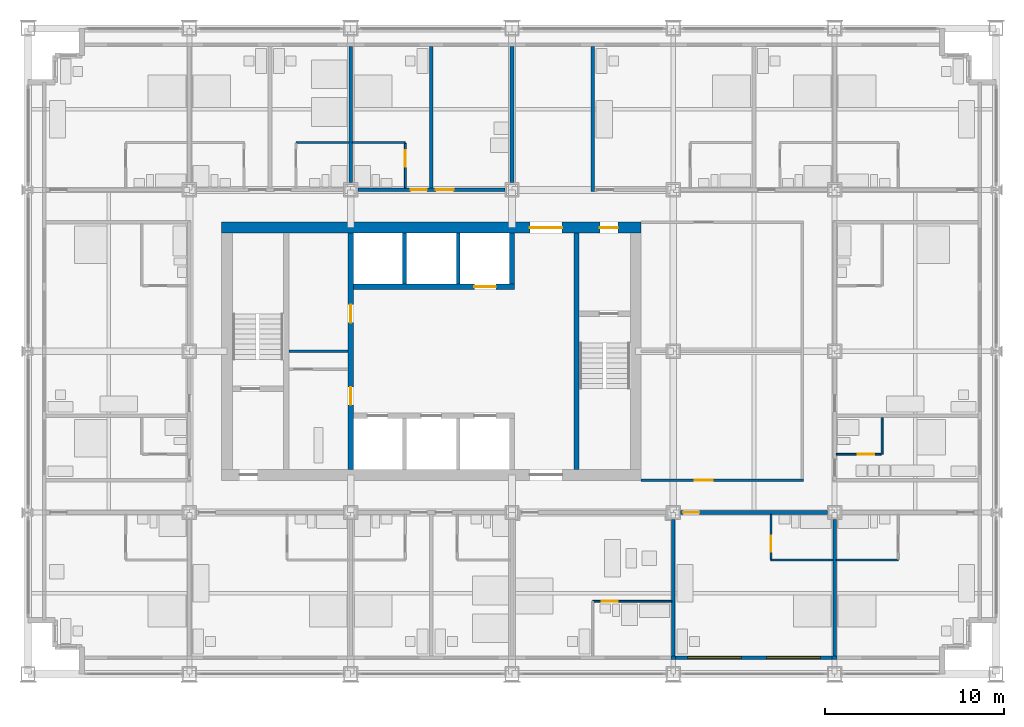
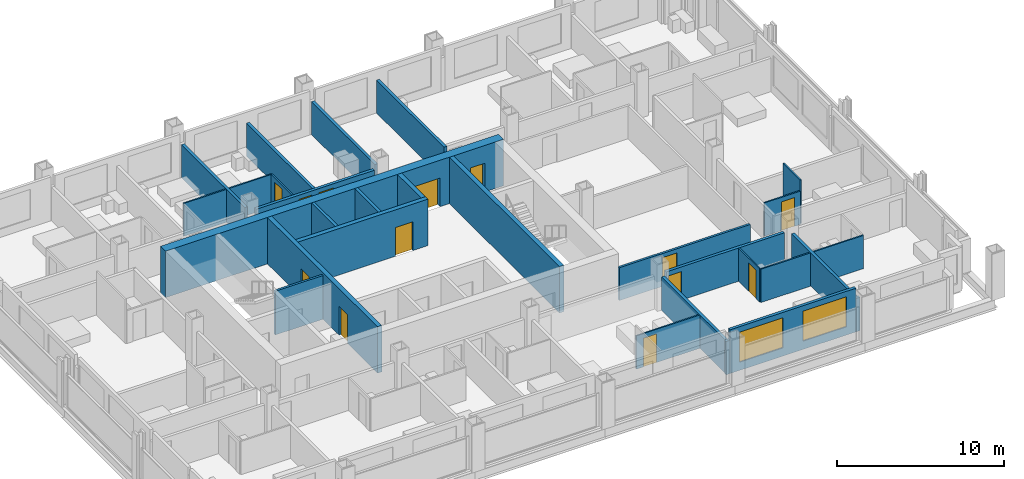
# One storey, part 12 of 18: 29 walls, 13 doors, 2 windows, 15 openings.
"""IFC4 building model written with IfcOpenShell, lengths in metres."""

from ifc_helpers import new_model, si_unit, direction, frame, frame_2d, origin, place, context, subcontext, project, spatial, rectangle, extrude, material, layer, layer_set, type_object, element, fill, save


model = new_model("IFC4")

# Units and contexts
model_context = context("Model", 3, precision=1e-05, world=origin(), true_north=direction((0.0, 1.0)))
body_context = subcontext(model_context, "Body", "Model", "MODEL_VIEW")
ifc_project = project(units=[si_unit("LENGTHUNIT", "METRE"), si_unit("AREAUNIT", "SQUARE_METRE"), si_unit("VOLUMEUNIT", "CUBIC_METRE"), si_unit("PLANEANGLEUNIT", "RADIAN"), si_unit("MASSUNIT", "GRAM", prefix="KILO")], contexts=[model_context])

# Site, building, storey
site_placement = place(None, origin())
site = spatial("IfcSite", under=ifc_project, at=site_placement, CompositionType="ELEMENT")
building_placement = place(site_placement, origin())
building = spatial("IfcBuilding", under=site, at=building_placement, Name="Loomwork Tower", CompositionType="ELEMENT")
storey_placement = place(building_placement, frame((0.0, 0.0, 65.39990234375)))
storey = spatial("IfcBuildingStorey", under=building, at=storey_placement, Name="L16", CompositionType="ELEMENT", Elevation=65.39990234375)

# Wall, openings, doors
ifc_material_1 = material(Name="Concrete 14000 psi (97 MPa)", Category="concrete")
ifc_layer_1 = layer(ifc_material_1, 0.300048828125)
ifc_layer_set_1 = layer_set([ifc_layer_1], Name="Core shear wall 300")
wall_type_1 = type_object("IfcWallType", Name="Core shear wall 300", PredefinedType="SHEAR", material=ifc_layer_set_1)
wall_1_placement = place(storey_placement, frame((18.0, 11.39990234375, 0.0), z_axis=(0.0, 0.0, 1.0), x_axis=(0.0, 1.0, 0.0)))
wall_1 = element("IfcWall", 1, at=wall_1_placement, inside=storey, type_object=wall_type_1, Name="Lobby west wall L16", PredefinedType="SHEAR", context=body_context, shape_type="SweptSolid", body=[
    extrude(rectangle(XDim=13.2001953125, YDim=0.300048828125, at=frame_2d((6.60009765625, 0.0))), origin(), (0.0, 0.0, 1.0), 3.400146484375),
])
opening_1_placement = place(wall_1_placement, frame((3.60009765625, 0.0, 0.0)))
opening_1 = element("IfcOpeningElement", 2, at=opening_1_placement, cuts=wall_1, Name="Opening D5", PredefinedType="OPENING", context=body_context, shape_type="SweptSolid", body=[
    extrude(rectangle(XDim=1.0, YDim=2.10009765625, at=frame_2d((0.5, 1.050048828125))), frame((0.0, 0.159912109375, 0.0), z_axis=(0.0, -1.0, 0.0), x_axis=(1.0, 0.0, 0.0)), (0.0, 0.0, 1.0), 0.320068359375),
])
opening_2_placement = place(wall_1_placement, frame((8.199951171875, 0.0, 0.0)))
opening_2 = element("IfcOpeningElement", 3, at=opening_2_placement, cuts=wall_1, Name="Opening D5", PredefinedType="OPENING", context=body_context, shape_type="SweptSolid", body=[
    extrude(rectangle(XDim=1.0, YDim=2.10009765625, at=frame_2d((0.5, 1.050048828125))), frame((0.0, 0.159912109375, 0.0), z_axis=(0.0, -1.0, 0.0), x_axis=(1.0, 0.0, 0.0)), (0.0, 0.0, 1.0), 0.320068359375),
])
ifc_material_2 = material(Name="Hollow metal door and frame")
door_type_1 = type_object("IfcDoorType", Name="Service door 1000", OperationType="SINGLE_SWING_LEFT", PredefinedType="DOOR", material=ifc_material_2)
door_1_placement = place(opening_1_placement, origin())
door_1 = element("IfcDoor", 4, at=door_1_placement, inside=storey, type_object=door_type_1, Name="Back-of-house door south", OperationType="SINGLE_SWING_LEFT", OverallHeight=2.10009765625, OverallWidth=1.0, PredefinedType="DOOR", context=body_context, shape_type="SweptSolid", body=[
    extrude(rectangle(XDim=1.0, YDim=2.10009765625, at=frame_2d((0.5, 1.050048828125))), frame((0.0, 0.02490234375, 0.0), z_axis=(0.0, -1.0, 0.0), x_axis=(1.0, 0.0, 0.0)), (0.0, 0.0, 1.0), 0.050048828125),
])
fill(opening_1, door_1)
door_2_placement = place(opening_2_placement, origin())
door_2 = element("IfcDoor", 5, at=door_2_placement, inside=storey, type_object=door_type_1, Name="Back-of-house door north", OperationType="SINGLE_SWING_RIGHT", OverallHeight=2.10009765625, OverallWidth=1.0, PredefinedType="DOOR", context=body_context, shape_type="SweptSolid", body=[
    extrude(rectangle(XDim=1.0, YDim=2.10009765625, at=frame_2d((0.5, 1.050048828125))), frame((0.0, 0.02490234375, 0.0), z_axis=(0.0, -1.0, 0.0), x_axis=(1.0, 0.0, 0.0)), (0.0, 0.0, 1.0), 0.050048828125),
])
fill(opening_2, door_2)

# Wall, opening, door
wall_2_placement = place(storey_placement, frame((18.14990234375, 21.60009765625, 0.0), z_axis=(0.0, 0.0, 1.0), x_axis=(1.0, 0.0, 0.0)))
wall_2 = element("IfcWall", 6, at=wall_2_placement, inside=storey, type_object=wall_type_1, Name="Lift front wall north L16", PredefinedType="SHEAR", context=body_context, shape_type="SweptSolid", body=[
    extrude(rectangle(XDim=9.0, YDim=0.300048828125, at=frame_2d((4.5, 0.0))), origin(), (0.0, 0.0, 1.0), 3.400146484375),
])
opening_3_placement = place(wall_2_placement, frame((6.75, 0.0, 0.0)))
opening_3 = element("IfcOpeningElement", 7, at=opening_3_placement, cuts=wall_2, Name="Opening LD2", PredefinedType="OPENING", context=body_context, shape_type="SweptSolid", body=[
    extrude(rectangle(XDim=1.199951171875, YDim=2.10009765625, at=frame_2d((0.60009765625, 1.050048828125))), frame((0.0, 0.159912109375, 0.0), z_axis=(0.0, -1.0, 0.0), x_axis=(1.0, 0.0, 0.0)), (0.0, 0.0, 1.0), 0.320068359375),
])
ifc_material_3 = material(Name="Hollow metal door and frame")
door_type_2 = type_object("IfcDoorType", Name="Lift landing door 1200", OperationType="SLIDING_TO_LEFT", PredefinedType="DOOR", material=ifc_material_3)
door_3_placement = place(opening_3_placement, origin())
door_3 = element("IfcDoor", 8, at=door_3_placement, inside=storey, type_object=door_type_2, Name="Lift landing door LF2", OperationType="SLIDING_TO_LEFT", OverallHeight=2.10009765625, OverallWidth=1.199951171875, PredefinedType="DOOR", context=body_context, shape_type="SweptSolid", body=[
    extrude(rectangle(XDim=1.199951171875, YDim=2.10009765625, at=frame_2d((0.60009765625, 1.050048828125))), frame((0.0, 0.02490234375, 0.0), z_axis=(0.0, -1.0, 0.0), x_axis=(1.0, 0.0, 0.0)), (0.0, 0.0, 1.0), 0.050048828125),
])
fill(opening_3, door_3)

# Walls
wall_3_placement = place(storey_placement, frame((27.0, 21.75, 0.0), z_axis=(0.0, 0.0, 1.0), x_axis=(0.0, 1.0, 0.0)))
element("IfcWall", 9, at=wall_3_placement, inside=storey, type_object=wall_type_1, Name="Lift shaft end wall north L16", PredefinedType="SHEAR", context=body_context, shape_type="SweptSolid", body=[
    extrude(rectangle(XDim=2.85009765625, YDim=0.300048828125, at=frame_2d((1.425048828125, 0.0))), origin(), (0.0, 0.0, 1.0), 3.400146484375),
])
wall_4_placement = place(storey_placement, frame((30.60009765625, 11.39990234375, 0.0), z_axis=(0.0, 0.0, 1.0), x_axis=(0.0, 1.0, 0.0)))
element("IfcWall", 10, at=wall_4_placement, inside=storey, type_object=wall_type_1, Name="Stair B west wall L16", PredefinedType="SHEAR", context=body_context, shape_type="SweptSolid", body=[
    extrude(rectangle(XDim=13.2001953125, YDim=0.300048828125, at=frame_2d((6.60009765625, 0.0))), origin(), (0.0, 0.0, 1.0), 3.400146484375),
])

# Wall, openings, doors
ifc_material_4 = material(Name="Concrete 14000 psi (97 MPa)", Category="concrete")
ifc_layer_2 = layer(ifc_material_4, 0.60009765625)
ifc_layer_set_2 = layer_set([ifc_layer_2], Name="Core shear wall 600")
wall_type_2 = type_object("IfcWallType", Name="Core shear wall 600", PredefinedType="SHEAR", material=ifc_layer_set_2)
wall_5_placement = place(storey_placement, frame((10.800048828125, 24.89990234375, 0.0), z_axis=(0.0, 0.0, 1.0), x_axis=(1.0, 0.0, 0.0)))
wall_5 = element("IfcWall", 11, at=wall_5_placement, inside=storey, type_object=wall_type_2, Name="Core wall north L16", PredefinedType="SHEAR", context=body_context, shape_type="SweptSolid", body=[
    extrude(rectangle(XDim=23.39990234375, YDim=0.60009765625, at=frame_2d((11.699951171875, 0.0))), origin(), (0.0, 0.0, 1.0), 3.400146484375),
])
opening_4_placement = place(wall_5_placement, frame((17.199951171875, 0.0, 0.0)))
opening_4 = element("IfcOpeningElement", 12, at=opening_4_placement, cuts=wall_5, Name="Opening D6", PredefinedType="OPENING", context=body_context, shape_type="SweptSolid", body=[
    extrude(rectangle(XDim=1.800048828125, YDim=2.10009765625, at=frame_2d((0.89990234375, 1.050048828125))), frame((0.0, 0.31005859375, 0.0), z_axis=(0.0, -1.0, 0.0), x_axis=(1.0, 0.0, 0.0)), (0.0, 0.0, 1.0), 0.6201171875),
])
opening_5_placement = place(wall_5_placement, frame((21.10009765625, 0.0, 0.0)))
opening_5 = element("IfcOpeningElement", 13, at=opening_5_placement, cuts=wall_5, Name="Opening D4", PredefinedType="OPENING", context=body_context, shape_type="SweptSolid", body=[
    extrude(rectangle(XDim=1.0, YDim=2.10009765625, at=frame_2d((0.5, 1.050048828125))), frame((0.0, 0.31005859375, 0.0), z_axis=(0.0, -1.0, 0.0), x_axis=(1.0, 0.0, 0.0)), (0.0, 0.0, 1.0), 0.6201171875),
])
ifc_material_5 = material(Name="Hollow metal door and frame")
door_type_3 = type_object("IfcDoorType", Name="Lobby passage double door 1800", OperationType="DOUBLE_DOOR_SINGLE_SWING", PredefinedType="DOOR", material=ifc_material_5)
door_4_placement = place(opening_4_placement, frame((1.800048828125, 0.0, 0.0), z_axis=(0.0, 0.0, 1.0), x_axis=(-1.0, 0.0, 0.0)))
door_4 = element("IfcDoor", 14, at=door_4_placement, inside=storey, type_object=door_type_3, Name="Lobby passage door north", OperationType="DOUBLE_DOOR_SINGLE_SWING", OverallHeight=2.10009765625, OverallWidth=1.800048828125, PredefinedType="DOOR", context=body_context, shape_type="SweptSolid", body=[
    extrude(rectangle(XDim=1.800048828125, YDim=2.10009765625, at=frame_2d((0.89990234375, 1.050048828125))), frame((0.0, 0.02490234375, 0.0), z_axis=(0.0, -1.0, 0.0), x_axis=(1.0, 0.0, 0.0)), (0.0, 0.0, 1.0), 0.050048828125),
])
fill(opening_4, door_4)
ifc_material_6 = material(Name="Hollow metal door and frame")
door_type_4 = type_object("IfcDoorType", Name="Stair door 1000", OperationType="SINGLE_SWING_RIGHT", PredefinedType="DOOR", material=ifc_material_6)
door_5_placement = place(opening_5_placement, frame((1.0, 0.0, 0.0), z_axis=(0.0, 0.0, 1.0), x_axis=(-1.0, 0.0, 0.0)))
door_5 = element("IfcDoor", 15, at=door_5_placement, inside=storey, type_object=door_type_4, Name="Stair B vestibule door", OperationType="SINGLE_SWING_LEFT", OverallHeight=2.10009765625, OverallWidth=1.0, PredefinedType="DOOR", context=body_context, shape_type="SweptSolid", body=[
    extrude(rectangle(XDim=1.0, YDim=2.10009765625, at=frame_2d((0.5, 1.050048828125))), frame((0.0, 0.02490234375, 0.0), z_axis=(0.0, -1.0, 0.0), x_axis=(1.0, 0.0, 0.0)), (0.0, 0.0, 1.0), 0.050048828125),
])
fill(opening_5, door_5)

# Wall, opening, door
ifc_material_7 = material(Name="Gypsum board on steel studs, one-hour", Category="steel")
ifc_layer_3 = layer(ifc_material_7, 0.199951171875)
ifc_layer_set_3 = layer_set([ifc_layer_3], Name="Corridor wall 200")
wall_type_3 = type_object("IfcWallType", Name="Corridor wall 200", PredefinedType="PARTITIONING", material=ifc_layer_set_3)
wall_6_placement = place(storey_placement, frame((36.39990234375, 9.0, 0.0), z_axis=(0.0, 0.0, 1.0), x_axis=(1.0, 0.0, 0.0)))
wall_6 = element("IfcWall", 16, at=wall_6_placement, inside=storey, type_object=wall_type_3, Name="South corridor wall 5", PredefinedType="PARTITIONING", context=body_context, shape_type="SweptSolid", body=[
    extrude(rectangle(XDim=8.2001953125, YDim=0.199951171875, at=frame_2d((4.10009765625, 0.0))), origin(), (0.0, 0.0, 1.0), 2.43798828125),
])
opening_6_placement = place(wall_6_placement, frame((0.14990234375, 0.0, 0.0)))
opening_6 = element("IfcOpeningElement", 17, at=opening_6_placement, cuts=wall_6, Name="Opening D1", PredefinedType="OPENING", context=body_context, shape_type="SweptSolid", body=[
    extrude(rectangle(XDim=0.89990234375, YDim=2.10009765625, at=frame_2d((0.449951171875, 1.050048828125))), frame((0.0, 0.10986328125, 0.0), z_axis=(0.0, -1.0, 0.0), x_axis=(1.0, 0.0, 0.0)), (0.0, 0.0, 1.0), 0.219970703125),
])
ifc_material_8 = material(Name="Hollow metal door and frame")
door_type_5 = type_object("IfcDoorType", Name="Guest room entry door 900", OperationType="SINGLE_SWING_LEFT", PredefinedType="DOOR", material=ifc_material_8)
door_6_placement = place(opening_6_placement, frame((0.89990234375, 0.0, 0.0), z_axis=(0.0, 0.0, 1.0), x_axis=(-1.0, 0.0, 0.0)))
door_6 = element("IfcDoor", 18, at=door_6_placement, inside=storey, type_object=door_type_5, Name="Guest room entry door L16 6", OperationType="SINGLE_SWING_RIGHT", OverallHeight=2.10009765625, OverallWidth=0.89990234375, PredefinedType="DOOR", context=body_context, shape_type="SweptSolid", body=[
    extrude(rectangle(XDim=0.89990234375, YDim=2.10009765625, at=frame_2d((0.449951171875, 1.050048828125))), frame((0.0, 0.02490234375, 0.0), z_axis=(0.0, -1.0, 0.0), x_axis=(1.0, 0.0, 0.0)), (0.0, 0.0, 1.0), 0.050048828125),
])
fill(opening_6, door_6)

# Wall, openings, doors
wall_7_placement = place(storey_placement, frame((18.39990234375, 27.0, 0.0), z_axis=(0.0, 0.0, 1.0), x_axis=(1.0, 0.0, 0.0)))
wall_7 = element("IfcWall", 19, at=wall_7_placement, inside=storey, type_object=wall_type_3, Name="North corridor wall 3", PredefinedType="PARTITIONING", context=body_context, shape_type="SweptSolid", body=[
    extrude(rectangle(XDim=8.2001953125, YDim=0.199951171875, at=frame_2d((4.10009765625, 0.0))), origin(), (0.0, 0.0, 1.0), 2.405029296875),
])
opening_7_placement = place(wall_7_placement, frame((2.949951171875, 0.0, 0.0)))
opening_7 = element("IfcOpeningElement", 20, at=opening_7_placement, cuts=wall_7, Name="Opening D1", PredefinedType="OPENING", context=body_context, shape_type="SweptSolid", body=[
    extrude(rectangle(XDim=0.89990234375, YDim=2.10009765625, at=frame_2d((0.449951171875, 1.050048828125))), frame((0.0, 0.10986328125, 0.0), z_axis=(0.0, -1.0, 0.0), x_axis=(1.0, 0.0, 0.0)), (0.0, 0.0, 1.0), 0.219970703125),
])
opening_8_placement = place(wall_7_placement, frame((4.35009765625, 0.0, 0.0)))
opening_8 = element("IfcOpeningElement", 21, at=opening_8_placement, cuts=wall_7, Name="Opening D15", PredefinedType="OPENING", context=body_context, shape_type="SweptSolid", body=[
    extrude(rectangle(XDim=1.0, YDim=2.10009765625, at=frame_2d((0.5, 1.050048828125))), frame((0.0, 0.10986328125, 0.0), z_axis=(0.0, -1.0, 0.0), x_axis=(1.0, 0.0, 0.0)), (0.0, 0.0, 1.0), 0.219970703125),
])
ifc_material_9 = material(Name="Hollow metal door and frame")
door_type_6 = type_object("IfcDoorType", Name="Fire-rated room door 1000", OperationType="SINGLE_SWING_LEFT", PredefinedType="DOOR", material=ifc_material_9)
door_7_placement = place(opening_8_placement, origin())
door_7 = element("IfcDoor", 22, at=door_7_placement, inside=storey, type_object=door_type_6, Name="Ice and vending room door L16 12", OperationType="SINGLE_SWING_LEFT", OverallHeight=2.10009765625, OverallWidth=1.0, PredefinedType="DOOR", context=body_context, shape_type="SweptSolid", body=[
    extrude(rectangle(XDim=1.0, YDim=2.10009765625, at=frame_2d((0.5, 1.050048828125))), frame((0.0, 0.02490234375, 0.0), z_axis=(0.0, -1.0, 0.0), x_axis=(1.0, 0.0, 0.0)), (0.0, 0.0, 1.0), 0.050048828125),
])
fill(opening_8, door_7)
door_8_placement = place(opening_7_placement, origin())
door_8 = element("IfcDoor", 23, at=door_8_placement, inside=storey, type_object=door_type_5, Name="Guest room entry door L16 11", OperationType="SINGLE_SWING_RIGHT", OverallHeight=2.10009765625, OverallWidth=0.89990234375, PredefinedType="DOOR", context=body_context, shape_type="SweptSolid", body=[
    extrude(rectangle(XDim=0.89990234375, YDim=2.10009765625, at=frame_2d((0.449951171875, 1.050048828125))), frame((0.0, 0.02490234375, 0.0), z_axis=(0.0, -1.0, 0.0), x_axis=(1.0, 0.0, 0.0)), (0.0, 0.0, 1.0), 0.050048828125),
])
fill(opening_7, door_8)

# Wall, opening, door
ifc_material_10 = material(Name="Cement board on steel studs", Category="steel")
ifc_layer_4 = layer(ifc_material_10, 0.10009765625)
ifc_layer_set_4 = layer_set([ifc_layer_4], Name="En-suite partition 100")
wall_type_4 = type_object("IfcWallType", Name="En-suite partition 100", PredefinedType="PARTITIONING", material=ifc_layer_set_4)
wall_8_placement = place(storey_placement, frame((31.5, 4.050048828125, 0.0), z_axis=(0.0, 0.0, 1.0), x_axis=(1.0, 0.0, 0.0)))
wall_8 = element("IfcWall", 24, at=wall_8_placement, inside=storey, type_object=wall_type_4, Name="Spa bathroom wall L16 room 5", PredefinedType="PARTITIONING", context=body_context, shape_type="SweptSolid", body=[
    extrude(rectangle(XDim=4.39990234375, YDim=0.10009765625, at=frame_2d((2.199951171875, 0.0))), origin(), (0.0, 0.0, 1.0), 2.43798828125),
])
opening_9_placement = place(wall_8_placement, frame((0.5, 0.0, 0.0)))
opening_9 = element("IfcOpeningElement", 25, at=opening_9_placement, cuts=wall_8, Name="Opening D2", PredefinedType="OPENING", context=body_context, shape_type="SweptSolid", body=[
    extrude(rectangle(XDim=0.89990234375, YDim=2.10009765625, at=frame_2d((0.449951171875, 1.050048828125))), frame((0.0, 0.06005859375, 0.0), z_axis=(0.0, -1.0, 0.0), x_axis=(1.0, 0.0, 0.0)), (0.0, 0.0, 1.0), 0.1201171875),
])
ifc_material_11 = material(Name="Hollow metal door and frame")
door_type_7 = type_object("IfcDoorType", Name="En-suite door 900", OperationType="SINGLE_SWING_LEFT", PredefinedType="DOOR", material=ifc_material_11)
door_9_placement = place(opening_9_placement, frame((0.89990234375, 0.0, 0.0), z_axis=(0.0, 0.0, 1.0), x_axis=(-1.0, 0.0, 0.0)))
door_9 = element("IfcDoor", 26, at=door_9_placement, inside=storey, type_object=door_type_7, Name="Spa bathroom door room 5", OperationType="SINGLE_SWING_RIGHT", OverallHeight=2.10009765625, OverallWidth=0.89990234375, PredefinedType="DOOR", context=body_context, shape_type="SweptSolid", body=[
    extrude(rectangle(XDim=0.89990234375, YDim=2.10009765625, at=frame_2d((0.449951171875, 1.050048828125))), frame((0.0, 0.02490234375, 0.0), z_axis=(0.0, -1.0, 0.0), x_axis=(1.0, 0.0, 0.0)), (0.0, 0.0, 1.0), 0.050048828125),
])
fill(opening_9, door_9)

# Wall
wall_9_placement = place(storey_placement, frame((41.449951171875, 6.35009765625, 0.0), z_axis=(0.0, 0.0, 1.0), x_axis=(1.0, 0.0, 0.0)))
element("IfcWall", 27, at=wall_9_placement, inside=storey, type_object=wall_type_4, Name="En-suite wall L16 room 6", PredefinedType="PARTITIONING", context=body_context, shape_type="SweptSolid", body=[
    extrude(rectangle(XDim=3.449951171875, YDim=0.10009765625, at=frame_2d((1.72509765625, 0.0))), origin(), (0.0, 0.0, 1.0), 2.43798828125),
])

# Wall, opening, door
wall_10_placement = place(storey_placement, frame((41.449951171875, 8.89990234375, 0.0), z_axis=(0.0, 0.0, 1.0), x_axis=(0.0, -1.0, 0.0)))
wall_10 = element("IfcWall", 28, at=wall_10_placement, inside=storey, type_object=wall_type_4, Name="En-suite side wall L16 room 6", PredefinedType="PARTITIONING", context=body_context, shape_type="SweptSolid", body=[
    extrude(rectangle(XDim=2.5, YDim=0.10009765625, at=frame_2d((1.25, 0.0))), origin(), (0.0, 0.0, 1.0), 2.43798828125),
])
opening_10_placement = place(wall_10_placement, frame((1.199951171875, 0.0, 0.0)))
opening_10 = element("IfcOpeningElement", 29, at=opening_10_placement, cuts=wall_10, Name="Opening D2", PredefinedType="OPENING", context=body_context, shape_type="SweptSolid", body=[
    extrude(rectangle(XDim=0.89990234375, YDim=2.10009765625, at=frame_2d((0.449951171875, 1.050048828125))), frame((0.0, 0.06005859375, 0.0), z_axis=(0.0, -1.0, 0.0), x_axis=(1.0, 0.0, 0.0)), (0.0, 0.0, 1.0), 0.1201171875),
])
door_10_placement = place(opening_10_placement, origin())
door_10 = element("IfcDoor", 30, at=door_10_placement, inside=storey, type_object=door_type_7, Name="En-suite door room 6", OperationType="SINGLE_SWING_RIGHT", OverallHeight=2.10009765625, OverallWidth=0.89990234375, PredefinedType="DOOR", context=body_context, shape_type="SweptSolid", body=[
    extrude(rectangle(XDim=0.89990234375, YDim=2.10009765625, at=frame_2d((0.449951171875, 1.050048828125))), frame((0.0, 0.02490234375, 0.0), z_axis=(0.0, -1.0, 0.0), x_axis=(1.0, 0.0, 0.0)), (0.0, 0.0, 1.0), 0.050048828125),
])
fill(opening_10, door_10)

# Walls
wall_11_placement = place(storey_placement, frame((45.10009765625, 6.35009765625, 0.0), z_axis=(0.0, 0.0, 1.0), x_axis=(1.0, 0.0, 0.0)))
element("IfcWall", 31, at=wall_11_placement, inside=storey, type_object=wall_type_4, Name="En-suite wall L16 room 7", PredefinedType="PARTITIONING", context=body_context, shape_type="SweptSolid", body=[
    extrude(rectangle(XDim=3.449951171875, YDim=0.10009765625, at=frame_2d((1.72509765625, 0.0))), origin(), (0.0, 0.0, 1.0), 2.43798828125),
])
for number, where, z_axis, x_axis, name in (
    (32, (14.949951171875, 29.64990234375, 0.0), (0.0, 0.0, 1.0), (1.0, 0.0, 0.0), "En-suite wall L16 room 10"),
    (33, (18.10009765625, 29.64990234375, 0.0), (0.0, 0.0, 1.0), (1.0, 0.0, 0.0), "En-suite wall L16 room 11"),
):
    element("IfcWall", number, at=place(storey_placement, frame(where, z_axis=z_axis, x_axis=x_axis)), inside=storey, type_object=wall_type_4, Name=name, PredefinedType="PARTITIONING", context=body_context, shape_type="SweptSolid", body=[
        extrude(rectangle(XDim=2.949951171875, YDim=0.10009765625, at=frame_2d((1.47509765625, 0.0))), origin(), (0.0, 0.0, 1.0), 2.404052734375),
    ])

# Wall, opening, door
wall_12_placement = place(storey_placement, frame((21.050048828125, 27.10009765625, 0.0), z_axis=(0.0, 0.0, 1.0), x_axis=(0.0, 1.0, 0.0)))
wall_12 = element("IfcWall", 34, at=wall_12_placement, inside=storey, type_object=wall_type_4, Name="En-suite side wall L16 room 11", PredefinedType="PARTITIONING", context=body_context, shape_type="SweptSolid", body=[
    extrude(rectangle(XDim=2.5, YDim=0.10009765625, at=frame_2d((1.25, 0.0))), origin(), (0.0, 0.0, 1.0), 2.404052734375),
])
opening_11_placement = place(wall_12_placement, frame((1.199951171875, 0.0, 0.0)))
opening_11 = element("IfcOpeningElement", 35, at=opening_11_placement, cuts=wall_12, Name="Opening D2", PredefinedType="OPENING", context=body_context, shape_type="SweptSolid", body=[
    extrude(rectangle(XDim=0.89990234375, YDim=2.10009765625, at=frame_2d((0.449951171875, 1.050048828125))), frame((0.0, 0.06005859375, 0.0), z_axis=(0.0, -1.0, 0.0), x_axis=(1.0, 0.0, 0.0)), (0.0, 0.0, 1.0), 0.1201171875),
])
door_11_placement = place(opening_11_placement, origin())
door_11 = element("IfcDoor", 36, at=door_11_placement, inside=storey, type_object=door_type_7, Name="En-suite door room 11", OperationType="SINGLE_SWING_RIGHT", OverallHeight=2.10009765625, OverallWidth=0.89990234375, PredefinedType="DOOR", context=body_context, shape_type="SweptSolid", body=[
    extrude(rectangle(XDim=0.89990234375, YDim=2.10009765625, at=frame_2d((0.449951171875, 1.050048828125))), frame((0.0, 0.02490234375, 0.0), z_axis=(0.0, -1.0, 0.0), x_axis=(1.0, 0.0, 0.0)), (0.0, 0.0, 1.0), 0.050048828125),
])
fill(opening_11, door_11)

# Wall
wall_13_placement = place(storey_placement, frame((47.64990234375, 12.25, 0.0), z_axis=(0.0, 0.0, 1.0), x_axis=(0.0, 1.0, 0.0)))
element("IfcWall", 37, at=wall_13_placement, inside=storey, type_object=wall_type_4, Name="En-suite wall L16 room 18", PredefinedType="PARTITIONING", context=body_context, shape_type="SweptSolid", body=[
    extrude(rectangle(XDim=2.050048828125, YDim=0.10009765625, at=frame_2d((1.02490234375, 0.0))), origin(), (0.0, 0.0, 1.0), 3.2001953125),
])

# Wall, opening, door
wall_14_placement = place(storey_placement, frame((45.10009765625, 12.25, 0.0), z_axis=(0.0, 0.0, 1.0), x_axis=(1.0, 0.0, 0.0)))
wall_14 = element("IfcWall", 38, at=wall_14_placement, inside=storey, type_object=wall_type_4, Name="En-suite side wall L16 room 18", PredefinedType="PARTITIONING", context=body_context, shape_type="SweptSolid", body=[
    extrude(rectangle(XDim=2.5, YDim=0.10009765625, at=frame_2d((1.25, 0.0))), origin(), (0.0, 0.0, 1.0), 2.43798828125),
])
opening_12_placement = place(wall_14_placement, frame((1.199951171875, 0.0, 0.0)))
opening_12 = element("IfcOpeningElement", 39, at=opening_12_placement, cuts=wall_14, Name="Opening D2", PredefinedType="OPENING", context=body_context, shape_type="SweptSolid", body=[
    extrude(rectangle(XDim=0.89990234375, YDim=2.10009765625, at=frame_2d((0.449951171875, 1.050048828125))), frame((0.0, 0.06005859375, 0.0), z_axis=(0.0, -1.0, 0.0), x_axis=(1.0, 0.0, 0.0)), (0.0, 0.0, 1.0), 0.1201171875),
])
door_12_placement = place(opening_12_placement, origin())
door_12 = element("IfcDoor", 40, at=door_12_placement, inside=storey, type_object=door_type_7, Name="En-suite door room 18", OperationType="SINGLE_SWING_RIGHT", OverallHeight=2.10009765625, OverallWidth=0.89990234375, PredefinedType="DOOR", context=body_context, shape_type="SweptSolid", body=[
    extrude(rectangle(XDim=0.89990234375, YDim=2.10009765625, at=frame_2d((0.449951171875, 1.050048828125))), frame((0.0, 0.02490234375, 0.0), z_axis=(0.0, -1.0, 0.0), x_axis=(1.0, 0.0, 0.0)), (0.0, 0.0, 1.0), 0.050048828125),
])
fill(opening_12, door_12)

# Walls
ifc_material_12 = material(Name="Gypsum board on steel studs, acoustic", Category="steel")
ifc_layer_5 = layer(ifc_material_12, 0.199951171875)
ifc_layer_set_5 = layer_set([ifc_layer_5], Name="Guest room party wall 200")
wall_type_5 = type_object("IfcWallType", Name="Guest room party wall 200", PredefinedType="PARTITIONING", material=ifc_layer_set_5)
for number, where, z_axis, x_axis, name in (
    (41, (36.0, 8.60009765625, 0.0), (0.0, 0.0, 1.0), (0.0, -1.0, 0.0), "Guest room party wall S 36"),
    (42, (45.0, 8.60009765625, 0.0), (0.0, 0.0, 1.0), (0.0, -1.0, 0.0), "Guest room party wall S 45"),
):
    element("IfcWall", number, at=place(storey_placement, frame(where, z_axis=z_axis, x_axis=x_axis)), inside=storey, type_object=wall_type_5, Name=name, PredefinedType="PARTITIONING", context=body_context, shape_type="SweptSolid", body=[
        extrude(rectangle(XDim=7.60009765625, YDim=0.199951171875, at=frame_2d((3.800048828125, 0.0))), origin(), (0.0, 0.0, 1.0), 2.43798828125),
    ])
wall_15_placement = place(storey_placement, frame((18.0, 27.39990234375, 0.0), z_axis=(0.0, 0.0, 1.0), x_axis=(0.0, 1.0, 0.0)))
element("IfcWall", 43, at=wall_15_placement, inside=storey, type_object=wall_type_5, Name="Guest room party wall N 18", PredefinedType="PARTITIONING", context=body_context, shape_type="SweptSolid", body=[
    extrude(rectangle(XDim=7.60009765625, YDim=0.199951171875, at=frame_2d((3.800048828125, 0.0))), origin(), (0.0, 0.0, 1.0), 2.405029296875),
])
wall_16_placement = place(storey_placement, frame((22.5, 27.10009765625, 0.0), z_axis=(0.0, 0.0, 1.0), x_axis=(0.0, 1.0, 0.0)))
element("IfcWall", 44, at=wall_16_placement, inside=storey, type_object=wall_type_5, Name="Guest room party wall N 22.5", PredefinedType="PARTITIONING", context=body_context, shape_type="SweptSolid", body=[
    extrude(rectangle(XDim=7.89990234375, YDim=0.199951171875, at=frame_2d((3.949951171875, 0.0))), origin(), (0.0, 0.0, 1.0), 2.404052734375),
])
wall_17_placement = place(storey_placement, frame((27.0, 27.39990234375, 0.0), z_axis=(0.0, 0.0, 1.0), x_axis=(0.0, 1.0, 0.0)))
element("IfcWall", 45, at=wall_17_placement, inside=storey, type_object=wall_type_5, Name="Guest room party wall N 27", PredefinedType="PARTITIONING", context=body_context, shape_type="SweptSolid", body=[
    extrude(rectangle(XDim=7.60009765625, YDim=0.199951171875, at=frame_2d((3.800048828125, 0.0))), origin(), (0.0, 0.0, 1.0), 2.405029296875),
])
wall_18_placement = place(storey_placement, frame((31.5, 26.89990234375, 0.0), z_axis=(0.0, 0.0, 1.0), x_axis=(0.0, 1.0, 0.0)))
element("IfcWall", 46, at=wall_18_placement, inside=storey, type_object=wall_type_5, Name="Guest room party wall N 31.5", PredefinedType="PARTITIONING", context=body_context, shape_type="SweptSolid", body=[
    extrude(rectangle(XDim=8.10009765625, YDim=0.199951171875, at=frame_2d((4.050048828125, 0.0))), origin(), (0.0, 0.0, 1.0), 2.404052734375),
])
ifc_material_13 = material(Name="Insulated steel stud wall with gypsum lining", Category="steel")
ifc_layer_6 = layer(ifc_material_13, 0.199951171875)
ifc_layer_set_6 = layer_set([ifc_layer_6], Name="Inner skin wall 200")
wall_type_6 = type_object("IfcWallType", Name="Inner skin wall 200", PredefinedType="SOLIDWALL", material=ifc_layer_set_6)
wall_19_placement = place(storey_placement, frame((35.864501953125, 0.89990234375, 0.0), z_axis=(0.0, 0.0, 1.0), x_axis=(1.0, 0.0, 0.0)))
element("IfcWall", 47, at=wall_19_placement, inside=storey, type_object=wall_type_6, Name="Inner skin wall S bay 8", PredefinedType="SOLIDWALL", context=body_context, shape_type="SweptSolid", body=[
    extrude(rectangle(XDim=0.27099609375, YDim=0.199951171875, at=frame_2d((0.135498046875, 0.0))), origin(), (0.0, 0.0, 1.0), 2.43798828125),
])

# Wall, openings, windows
wall_20_placement = place(storey_placement, frame((36.135498046875, 0.89990234375, 0.0), z_axis=(0.0, 0.0, 1.0), x_axis=(1.0, 0.0, 0.0)))
wall_20 = element("IfcWall", 48, at=wall_20_placement, inside=storey, type_object=wall_type_6, Name="Inner skin wall S bay 9", PredefinedType="SOLIDWALL", context=body_context, shape_type="SweptSolid", body=[
    extrude(rectangle(XDim=8.72900390625, YDim=0.199951171875, at=frame_2d((4.364501953125, 0.0))), origin(), (0.0, 0.0, 1.0), 3.2001953125),
])
opening_13_placement = place(wall_20_placement, frame((0.66455078125, 0.0, 0.60009765625)))
opening_13 = element("IfcOpeningElement", 49, at=opening_13_placement, cuts=wall_20, Name="Opening CH1", PredefinedType="OPENING", context=body_context, shape_type="SweptSolid", body=[
    extrude(rectangle(XDim=3.0, YDim=2.199951171875, at=frame_2d((1.5, 1.10009765625))), frame((0.0, 0.10986328125, 0.0), z_axis=(0.0, -1.0, 0.0), x_axis=(1.0, 0.0, 0.0)), (0.0, 0.0, 1.0), 0.219970703125),
])
opening_14_placement = place(wall_20_placement, frame((5.064697265625, 0.0, 0.60009765625)))
opening_14 = element("IfcOpeningElement", 50, at=opening_14_placement, cuts=wall_20, Name="Opening CH1", PredefinedType="OPENING", context=body_context, shape_type="SweptSolid", body=[
    extrude(rectangle(XDim=3.0, YDim=2.199951171875, at=frame_2d((1.5, 1.10009765625))), frame((0.0, 0.10986328125, 0.0), z_axis=(0.0, -1.0, 0.0), x_axis=(1.0, 0.0, 0.0)), (0.0, 0.0, 1.0), 0.219970703125),
])
ifc_material_14 = material(Name="Aluminium frame with clear insulated glass", Category="aluminium")
window_type = type_object("IfcWindowType", Name="Chicago window 3000", PartitioningType="TRIPLE_PANEL_VERTICAL", PredefinedType="WINDOW", material=ifc_material_14)
window_1_placement = place(opening_13_placement, origin())
window_1 = element("IfcWindow", 51, at=window_1_placement, inside=storey, type_object=window_type, Name="Chicago window L16 bay 5", OverallHeight=2.199951171875, OverallWidth=3.0, PartitioningType="TRIPLE_PANEL_VERTICAL", PredefinedType="WINDOW", context=body_context, shape_type="SweptSolid", body=[
    extrude(rectangle(XDim=3.0, YDim=2.199951171875, at=frame_2d((1.5, 1.10009765625))), frame((0.0, 0.030029296875, 0.0), z_axis=(0.0, -1.0, 0.0), x_axis=(1.0, 0.0, 0.0)), (0.0, 0.0, 1.0), 0.06005859375),
])
fill(opening_13, window_1)
window_2_placement = place(opening_14_placement, origin())
window_2 = element("IfcWindow", 52, at=window_2_placement, inside=storey, type_object=window_type, Name="Chicago window L16 bay 5", OverallHeight=2.199951171875, OverallWidth=3.0, PartitioningType="TRIPLE_PANEL_VERTICAL", PredefinedType="WINDOW", context=body_context, shape_type="SweptSolid", body=[
    extrude(rectangle(XDim=3.0, YDim=2.199951171875, at=frame_2d((1.5, 1.10009765625))), frame((0.0, 0.030029296875, 0.0), z_axis=(0.0, -1.0, 0.0), x_axis=(1.0, 0.0, 0.0)), (0.0, 0.0, 1.0), 0.06005859375),
])
fill(opening_14, window_2)

# Walls
wall_21_placement = place(storey_placement, frame((44.864501953125, 0.89990234375, 0.0), z_axis=(0.0, 0.0, 1.0), x_axis=(1.0, 0.0, 0.0)))
element("IfcWall", 53, at=wall_21_placement, inside=storey, type_object=wall_type_6, Name="Inner skin wall S bay 10", PredefinedType="SOLIDWALL", context=body_context, shape_type="SweptSolid", body=[
    extrude(rectangle(XDim=0.27099609375, YDim=0.199951171875, at=frame_2d((0.135498046875, 0.0))), origin(), (0.0, 0.0, 1.0), 2.43798828125),
])
ifc_material_15 = material(Name="Concrete 14000 psi (97 MPa)", Category="concrete")
ifc_layer_7 = layer(ifc_material_15, 0.199951171875)
ifc_layer_set_7 = layer_set([ifc_layer_7], Name="Lift shaft wall 200")
wall_type_7 = type_object("IfcWallType", Name="Lift shaft wall 200", PredefinedType="SHEAR", material=ifc_layer_set_7)
for number, where, z_axis, x_axis, name in (
    (54, (21.0, 21.75, 0.0), (0.0, 0.0, 1.0), (0.0, 1.0, 0.0), "Lift shaft separation wall north 1 L16"),
    (55, (24.0, 21.75, 0.0), (0.0, 0.0, 1.0), (0.0, 1.0, 0.0), "Lift shaft separation wall north 2 L16"),
):
    element("IfcWall", number, at=place(storey_placement, frame(where, z_axis=z_axis, x_axis=x_axis)), inside=storey, type_object=wall_type_7, Name=name, PredefinedType="SHEAR", context=body_context, shape_type="SweptSolid", body=[
        extrude(rectangle(XDim=2.85009765625, YDim=0.199951171875, at=frame_2d((1.425048828125, 0.0))), origin(), (0.0, 0.0, 1.0), 3.400146484375),
    ])
ifc_material_16 = material(Name="Gypsum board on steel studs", Category="steel")
ifc_layer_8 = layer(ifc_material_16, 0.14990234375)
ifc_layer_set_8 = layer_set([ifc_layer_8], Name="Partition 150 two-hour")
wall_type_8 = type_object("IfcWallType", Name="Partition 150 two-hour", PredefinedType="PARTITIONING", material=ifc_layer_set_8)
wall_22_placement = place(storey_placement, frame((14.550048828125, 18.0, 0.0), z_axis=(0.0, 0.0, 1.0), x_axis=(1.0, 0.0, 0.0)))
element("IfcWall", 56, at=wall_22_placement, inside=storey, type_object=wall_type_8, Name="Back-of-house dividing wall L16", PredefinedType="PARTITIONING", context=body_context, shape_type="SweptSolid", body=[
    extrude(rectangle(XDim=3.300048828125, YDim=0.14990234375, at=frame_2d((1.64990234375, 0.0))), origin(), (0.0, 0.0, 1.0), 3.2001953125),
])

# Wall, opening, door
ifc_material_17 = material(Name="Gypsum board on steel studs, one-hour", Category="steel")
ifc_layer_9 = layer(ifc_material_17, 0.14990234375)
ifc_layer_set_9 = layer_set([ifc_layer_9], Name="Service partition 150")
wall_type_9 = type_object("IfcWallType", Name="Service partition 150", PredefinedType="PARTITIONING", material=ifc_layer_set_9)
wall_23_placement = place(storey_placement, frame((34.199951171875, 10.800048828125, 0.0), z_axis=(0.0, 0.0, 1.0), x_axis=(1.0, 0.0, 0.0)))
wall_23 = element("IfcWall", 57, at=wall_23_placement, inside=storey, type_object=wall_type_9, Name="Service block wall S", PredefinedType="PARTITIONING", context=body_context, shape_type="SweptSolid", body=[
    extrude(rectangle(XDim=9.074951171875, YDim=0.14990234375, at=frame_2d((4.53759765625, 0.0))), origin(), (0.0, 0.0, 1.0), 2.404052734375),
])
opening_15_placement = place(wall_23_placement, frame((3.0, 0.0, 0.0)))
opening_15 = element("IfcOpeningElement", 58, at=opening_15_placement, cuts=wall_23, Name="Opening D5", PredefinedType="OPENING", context=body_context, shape_type="SweptSolid", body=[
    extrude(rectangle(XDim=1.0, YDim=2.10009765625, at=frame_2d((0.5, 1.050048828125))), frame((0.0, 0.0849609375, 0.0), z_axis=(0.0, -1.0, 0.0), x_axis=(1.0, 0.0, 0.0)), (0.0, 0.0, 1.0), 0.169921875),
])
door_13_placement = place(opening_15_placement, origin())
door_13 = element("IfcDoor", 59, at=door_13_placement, inside=storey, type_object=door_type_1, Name="Housekeeping store door", OperationType="SINGLE_SWING_LEFT", OverallHeight=2.10009765625, OverallWidth=1.0, PredefinedType="DOOR", context=body_context, shape_type="SweptSolid", body=[
    extrude(rectangle(XDim=1.0, YDim=2.10009765625, at=frame_2d((0.5, 1.050048828125))), frame((0.0, 0.02490234375, 0.0), z_axis=(0.0, -1.0, 0.0), x_axis=(1.0, 0.0, 0.0)), (0.0, 0.0, 1.0), 0.050048828125),
])
fill(opening_15, door_13)

save(model, "model.ifc")
